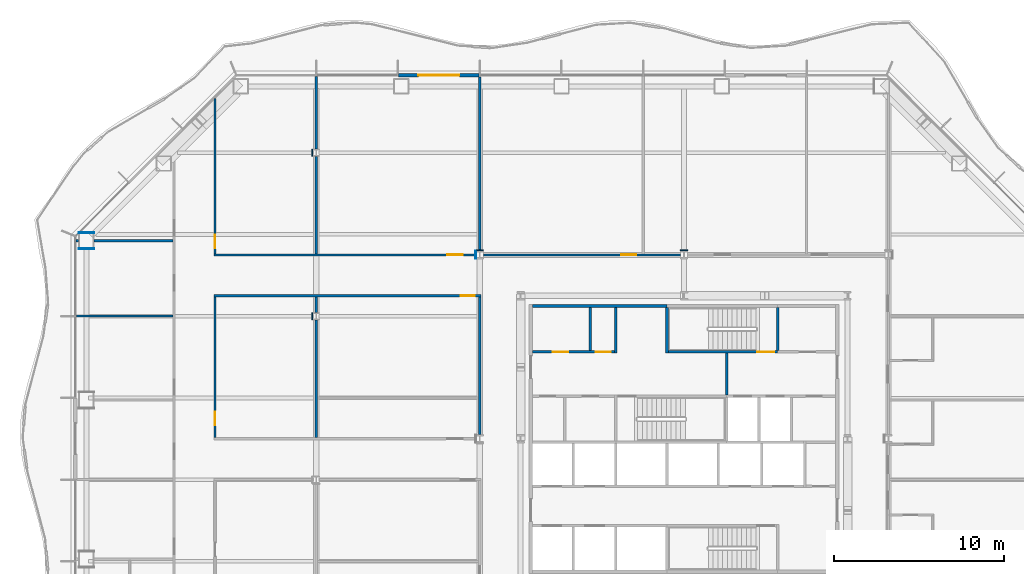
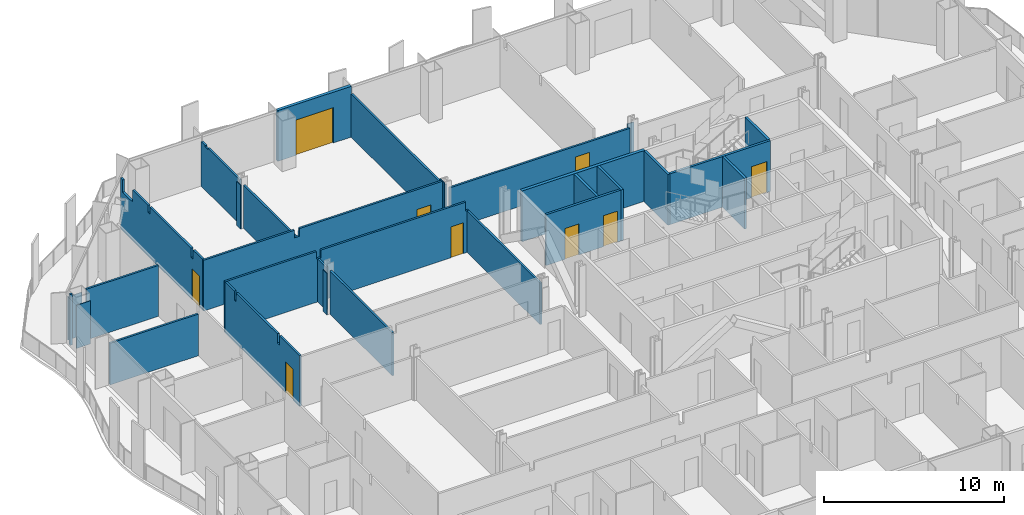
# One storey, part 12 of 20: 30 walls, 9 doors, 9 openings.
"""IFC4 building model written with IfcOpenShell, lengths in metres."""

from ifc_helpers import new_model, si_unit, direction, frame, frame_2d, origin, place, context, subcontext, project, spatial, polyline, rectangle, outline, extrude, material, layer, layer_set, type_object, element, fill, save


model = new_model("IFC4")

# Units and contexts
model_context = context("Model", 3, precision=1e-05, world=origin(), true_north=direction((0.0, 1.0)))
body_context = subcontext(model_context, "Body", "Model", "MODEL_VIEW")
ifc_project = project(units=[si_unit("LENGTHUNIT", "METRE"), si_unit("AREAUNIT", "SQUARE_METRE"), si_unit("VOLUMEUNIT", "CUBIC_METRE"), si_unit("PLANEANGLEUNIT", "RADIAN"), si_unit("MASSUNIT", "GRAM", prefix="KILO")], contexts=[model_context])

# Site, building, storey
site_placement = place(None, origin())
site = spatial("IfcSite", under=ifc_project, at=site_placement, CompositionType="ELEMENT")
building_placement = place(site_placement, origin())
building = spatial("IfcBuilding", under=site, at=building_placement, Name="Cairn Pilgrim Tower", CompositionType="ELEMENT")
storey_placement = place(building_placement, frame((0.0, 0.0, 83.39990234375)))
storey = spatial("IfcBuildingStorey", under=building, at=storey_placement, Name="L19", CompositionType="ELEMENT", Elevation=83.39990234375)

# Wall, opening, door
ifc_material_1 = material(Name="Bronze anodised aluminium insulated sandwich panel with mineral wool fill", Category="aluminium")
ifc_layer_1 = layer(ifc_material_1, 0.199951171875)
ifc_layer_set_1 = layer_set([ifc_layer_1], Name="BRONZE INFILL FRAME WALL 200")
wall_type_1 = type_object("IfcWallType", Name="BRONZE INFILL FRAME WALL 200", PredefinedType="NOTDEFINED", material=ifc_layer_set_1)
wall_1_placement = place(storey_placement, frame((-4.830078125, 23.75, 0.0), z_axis=(0.0, 0.0, 1.0), x_axis=(-1.0, 0.0, 0.0)))
wall_1 = element("IfcWall", 1, at=wall_1_placement, inside=storey, type_object=wall_type_1, Name="Bronze infill frame wall IW-N6", PredefinedType="NOTDEFINED", context=body_context, shape_type="SweptSolid", body=[
    extrude(rectangle(XDim=4.739990234375, YDim=0.199951171875, at=frame_2d((2.3701171875, 0.0))), origin(), (0.0, 0.0, 1.0), 3.4501953125),
])
opening_1_placement = place(wall_1_placement, frame((1.169921875, 0.0, 0.0)))
opening_1 = element("IfcOpeningElement", 2, at=opening_1_placement, cuts=wall_1, Name="Opening 1916B", PredefinedType="OPENING", context=body_context, shape_type="SweptSolid", body=[
    extrude(rectangle(XDim=2.39990234375, YDim=2.39990234375, at=frame_2d((1.199951171875, 1.199951171875))), frame((0.0, 0.10986328125, 0.0), z_axis=(0.0, -1.0, 0.0), x_axis=(1.0, 0.0, 0.0)), (0.0, 0.0, 1.0), 0.219970703125),
])
ifc_material_2 = material(Name="Bronze anodised aluminium frame with tinted low-E glass", Category="aluminium")
door_type_1 = type_object("IfcDoorType", Name="BALCONY SLIDING DOOR 2400x2400", OperationType="DOUBLE_DOOR_SLIDING", PredefinedType="DOOR", material=ifc_material_2)
door_1_placement = place(opening_1_placement, origin())
door_1 = element("IfcDoor", 3, at=door_1_placement, inside=storey, type_object=door_type_1, Name="Balcony sliding door 1916B", OperationType="SINGLE_SWING_LEFT", OverallHeight=2.39990234375, OverallWidth=2.39990234375, PredefinedType="DOOR", context=body_context, shape_type="SweptSolid", body=[
    extrude(rectangle(XDim=2.39990234375, YDim=2.39990234375, at=frame_2d((1.199951171875, 1.199951171875))), frame((0.0, 0.02490234375, 0.0), z_axis=(0.0, -1.0, 0.0), x_axis=(1.0, 0.0, 0.0)), (0.0, 0.0, 1.0), 0.050048828125),
])
fill(opening_1, door_1)

# Wall
ifc_material_3 = material(Name="Concrete C32/40", Category="concrete")
ifc_layer_2 = layer(ifc_material_3, 0.199951171875)
ifc_layer_set_2 = layer_set([ifc_layer_2], Name="CORE OUTER WALL 200 EI 120")
wall_type_2 = type_object("IfcWallType", Name="CORE OUTER WALL 200 EI 120", PredefinedType="SOLIDWALL", material=ifc_layer_set_2)
wall_2_placement = place(storey_placement, frame((-1.699951171875, 10.199951171875, 0.0), z_axis=(0.0, 0.0, 1.0), x_axis=(1.0, 0.0, 0.0)))
element("IfcWall", 4, at=wall_2_placement, inside=storey, type_object=wall_type_2, Name="CW:L19:H11-1", PredefinedType="SOLIDWALL", context=body_context, shape_type="SweptSolid", body=[
    extrude(rectangle(XDim=7.89990234375, YDim=0.199951171875, at=frame_2d((3.949951171875, 0.0))), origin(), (0.0, 0.0, 1.0), 3.4501953125),
])

# Wall, openings, doors
ifc_layer_3 = layer(ifc_material_3, 0.14990234375)
ifc_layer_set_3 = layer_set([ifc_layer_3], Name="CORE PARTITION 150 EI 60")
wall_type_3 = type_object("IfcWallType", Name="CORE PARTITION 150 EI 60", PredefinedType="PARTITIONING", material=ifc_layer_set_3)
wall_3_placement = place(storey_placement, frame((-1.699951171875, 7.5, 0.0), z_axis=(0.0, 0.0, 1.0), x_axis=(1.0, 0.0, 0.0)))
wall_3 = element("IfcWall", 5, at=wall_3_placement, inside=storey, type_object=wall_type_3, Name="CW:L19:H09", PredefinedType="PARTITIONING", context=body_context, shape_type="SweptSolid", body=[
    extrude(rectangle(XDim=4.824951171875, YDim=0.14990234375, at=frame_2d((2.41259765625, 0.0))), origin(), (0.0, 0.0, 1.0), 3.4501953125),
])
opening_2_placement = place(wall_3_placement, frame((1.199951171875, 0.0, 0.0)))
opening_2 = element("IfcOpeningElement", 6, at=opening_2_placement, cuts=wall_3, Name="Opening RD-R4W1", PredefinedType="OPENING", context=body_context, shape_type="SweptSolid", body=[
    extrude(rectangle(XDim=0.89990234375, YDim=2.10009765625, at=frame_2d((0.449951171875, 1.050048828125))), frame((0.0, 0.0849609375, 0.0), z_axis=(0.0, -1.0, 0.0), x_axis=(1.0, 0.0, 0.0)), (0.0, 0.0, 1.0), 0.169921875),
])
opening_3_placement = place(wall_3_placement, frame((3.699951171875, 0.0, 0.0)))
opening_3 = element("IfcOpeningElement", 7, at=opening_3_placement, cuts=wall_3, Name="Opening RD-R4W2", PredefinedType="OPENING", context=body_context, shape_type="SweptSolid", body=[
    extrude(rectangle(XDim=0.89990234375, YDim=2.10009765625, at=frame_2d((0.449951171875, 1.050048828125))), frame((0.0, 0.0849609375, 0.0), z_axis=(0.0, -1.0, 0.0), x_axis=(1.0, 0.0, 0.0)), (0.0, 0.0, 1.0), 0.169921875),
])
ifc_material_4 = material(Name="Painted steel", Category="steel")
door_type_2 = type_object("IfcDoorType", Name="SERVICE ROOM DOOR 900x2100", OperationType="SINGLE_SWING_LEFT", PredefinedType="DOOR", material=ifc_material_4)
door_2_placement = place(opening_2_placement, origin())
door_2 = element("IfcDoor", 8, at=door_2_placement, inside=storey, type_object=door_type_2, Name="RD-R4W1", OperationType="SINGLE_SWING_LEFT", OverallHeight=2.10009765625, OverallWidth=0.89990234375, PredefinedType="DOOR", context=body_context, shape_type="SweptSolid", body=[
    extrude(rectangle(XDim=0.89990234375, YDim=2.10009765625, at=frame_2d((0.449951171875, 1.050048828125))), frame((0.0, 0.02490234375, 0.0), z_axis=(0.0, -1.0, 0.0), x_axis=(1.0, 0.0, 0.0)), (0.0, 0.0, 1.0), 0.050048828125),
])
fill(opening_2, door_2)
door_3_placement = place(opening_3_placement, origin())
door_3 = element("IfcDoor", 9, at=door_3_placement, inside=storey, type_object=door_type_2, Name="RD-R4W2", OperationType="SINGLE_SWING_RIGHT", OverallHeight=2.10009765625, OverallWidth=0.89990234375, PredefinedType="DOOR", context=body_context, shape_type="SweptSolid", body=[
    extrude(rectangle(XDim=0.89990234375, YDim=2.10009765625, at=frame_2d((0.449951171875, 1.050048828125))), frame((0.0, 0.02490234375, 0.0), z_axis=(0.0, -1.0, 0.0), x_axis=(1.0, 0.0, 0.0)), (0.0, 0.0, 1.0), 0.050048828125),
])
fill(opening_3, door_3)

# Walls
wall_4_placement = place(storey_placement, frame((1.699951171875, 7.574951171875, 0.0), z_axis=(0.0, 0.0, 1.0), x_axis=(0.0, 1.0, 0.0)))
element("IfcWall", 10, at=wall_4_placement, inside=storey, type_object=wall_type_3, Name="CW:L19:V16", PredefinedType="PARTITIONING", context=body_context, shape_type="SweptSolid", body=[
    extrude(rectangle(XDim=2.525146484375, YDim=0.14990234375, at=frame_2d((1.2626953125, 0.0))), origin(), (0.0, 0.0, 1.0), 3.4501953125),
])
wall_5_placement = place(storey_placement, frame((3.199951171875, 7.425048828125, 0.0), z_axis=(0.0, 0.0, 1.0), x_axis=(0.0, 1.0, 0.0)))
element("IfcWall", 11, at=wall_5_placement, inside=storey, type_object=wall_type_3, Name="CW:L19:V20", PredefinedType="PARTITIONING", context=body_context, shape_type="SweptSolid", body=[
    extrude(rectangle(XDim=2.675048828125, YDim=0.14990234375, at=frame_2d((1.33740234375, 0.0))), origin(), (0.0, 0.0, 1.0), 3.4501953125),
])
ifc_layer_4 = layer(ifc_material_3, 0.14990234375)
ifc_layer_set_4 = layer_set([ifc_layer_4], Name="CORE SHAFT WALL 150 EI 120")
wall_type_4 = type_object("IfcWallType", Name="CORE SHAFT WALL 150 EI 120", PredefinedType="SOLIDWALL", material=ifc_layer_set_4)
wall_6_placement = place(storey_placement, frame((9.699951171875, 4.97509765625, 0.0), z_axis=(0.0, 0.0, 1.0), x_axis=(0.0, 1.0, 0.0)))
element("IfcWall", 12, at=wall_6_placement, inside=storey, type_object=wall_type_4, Name="CW:L19:V26", PredefinedType="SOLIDWALL", context=body_context, shape_type="SweptSolid", body=[
    extrude(rectangle(XDim=2.449951171875, YDim=0.14990234375, at=frame_2d((1.22509765625, 0.0))), origin(), (0.0, 0.0, 1.0), 3.4501953125),
])

# Wall, opening, door
ifc_material_5 = material(Name="Gypsum partition")
ifc_layer_5 = layer(ifc_material_5, 0.125)
ifc_layer_set_5 = layer_set([ifc_layer_5], Name="PARTITION 125 DRYWALL EI 60")
wall_type_5 = type_object("IfcWallType", Name="PARTITION 125 DRYWALL EI 60", PredefinedType="PARTITIONING", material=ifc_layer_set_5)
wall_7_placement = place(storey_placement, frame((-20.35009765625, 2.46240234375, 0.0), z_axis=(0.0, 0.0, 1.0), x_axis=(0.0, 1.0, 0.0)))
wall_7 = element("IfcWall", 13, at=wall_7_placement, inside=storey, type_object=wall_type_5, Name="PARTITION W062", PredefinedType="PARTITIONING", context=body_context, shape_type="SweptSolid", body=[
    extrude(outline(polyline([(0.0, 0.0), (8.275146484375, 0.0), (8.27490234375, 3.4501953125), (7.24755859375, 3.4501953125), (7.24560546875, 2.830078125), (7.027587890625, 2.830078125), (7.025390625, 3.4501953125), (2.447509765625, 3.4501953125), (2.445556640625, 2.830078125), (2.2275390625, 2.830078125), (2.2255859375, 3.4501953125), (0.0, 3.4501953125), (0.0, 0.0)])), frame((0.0, 0.0625, 0.0), z_axis=(0.0, -1.0, 0.0), x_axis=(1.0, 0.0, 0.0)), (0.0, 0.0, 1.0), 0.125),
])
opening_4_placement = place(wall_7_placement, frame((0.737548828125, 0.0, 0.0)))
opening_4 = element("IfcOpeningElement", 14, at=opening_4_placement, cuts=wall_7, Name="Opening 1932", PredefinedType="OPENING", context=body_context, shape_type="SweptSolid", body=[
    extrude(rectangle(XDim=0.800048828125, YDim=2.10009765625, at=frame_2d((0.39990234375, 1.050048828125))), frame((0.0, 0.072509765625, 0.0), z_axis=(0.0, -1.0, 0.0), x_axis=(1.0, 0.0, 0.0)), (0.0, 0.0, 1.0), 0.14501953125),
])
ifc_material_6 = material(Name="Steel-faced fire door leaf", Category="steel")
door_type_3 = type_object("IfcDoorType", Name="FIRE DOOR 800x2100 FD30S", OperationType="NOTDEFINED", PredefinedType="DOOR", material=ifc_material_6)
door_4_placement = place(opening_4_placement, frame((0.800048828125, 0.0, 0.0), z_axis=(0.0, 0.0, 1.0), x_axis=(-1.0, 0.0, 0.0)))
door_4 = element("IfcDoor", 15, at=door_4_placement, inside=storey, type_object=door_type_3, Name="DOOR 1932", OperationType="SINGLE_SWING_LEFT", OverallHeight=2.10009765625, OverallWidth=0.800048828125, PredefinedType="DOOR", context=body_context, shape_type="SweptSolid", body=[
    extrude(rectangle(XDim=0.800048828125, YDim=2.10009765625, at=frame_2d((0.39990234375, 1.050048828125))), frame((0.0, 0.02490234375, 0.0), z_axis=(0.0, -1.0, 0.0), x_axis=(1.0, 0.0, 0.0)), (0.0, 0.0, 1.0), 0.050048828125),
])
fill(opening_4, door_4)

# Walls
wall_8_placement = place(storey_placement, frame((-14.39990234375, 2.46240234375, 0.0), z_axis=(0.0, 0.0, 1.0), x_axis=(0.0, 1.0, 0.0)))
element("IfcWall", 16, at=wall_8_placement, inside=storey, type_object=wall_type_5, Name="PARTITION W063", PredefinedType="PARTITIONING", context=body_context, shape_type="SweptSolid", body=[
    extrude(rectangle(XDim=6.925048828125, YDim=0.125, at=frame_2d((3.46240234375, 0.0))), origin(), (0.0, 0.0, 1.0), 2.93017578125),
])
wall_9_placement = place(storey_placement, frame((-4.800048828125, 2.636962890625, 0.0), z_axis=(0.0, 0.0, 1.0), x_axis=(0.0, 1.0, 0.0)))
element("IfcWall", 17, at=wall_9_placement, inside=storey, type_object=wall_type_5, Name="PARTITION W064", PredefinedType="PARTITIONING", context=body_context, shape_type="SweptSolid", body=[
    extrude(rectangle(XDim=8.1005859375, YDim=0.125, at=frame_2d((4.05029296875, 0.0))), origin(), (0.0, 0.0, 1.0), 2.830078125),
])
wall_10_placement = place(storey_placement, frame((-28.489990234375, 9.60009765625, 0.0), z_axis=(0.0, 0.0, 1.0), x_axis=(1.0, 0.0, 0.0)))
element("IfcWall", 18, at=wall_10_placement, inside=storey, type_object=wall_type_5, Name="PARTITION W072", PredefinedType="PARTITIONING", context=body_context, shape_type="SweptSolid", body=[
    extrude(rectangle(XDim=5.677490234375, YDim=0.125, at=frame_2d((2.8388671875, 0.0))), origin(), (0.0, 0.0, 1.0), 2.830078125),
])
wall_11_placement = place(storey_placement, frame((-14.39990234375, 9.8125, 0.0), z_axis=(0.0, 0.0, 1.0), x_axis=(0.0, 1.0, 0.0)))
element("IfcWall", 19, at=wall_11_placement, inside=storey, type_object=wall_type_5, Name="PARTITION W074", PredefinedType="PARTITIONING", context=body_context, shape_type="SweptSolid", body=[
    extrude(rectangle(XDim=0.925048828125, YDim=0.125, at=frame_2d((0.46240234375, 0.0))), origin(), (0.0, 0.0, 1.0), 2.93017578125),
])

# Wall, opening, door
wall_12_placement = place(storey_placement, frame((-20.41259765625, 10.800048828125, 0.0), z_axis=(0.0, 0.0, 1.0), x_axis=(1.0, 0.0, 0.0)))
wall_12 = element("IfcWall", 20, at=wall_12_placement, inside=storey, type_object=wall_type_5, Name="PARTITION W075", PredefinedType="PARTITIONING", context=body_context, shape_type="SweptSolid", body=[
    extrude(outline(polyline([(0.0, 0.0), (15.675048828125, 0.0), (15.675048828125, 2.830078125), (15.46240234375, 2.830078125), (15.46044921875, 3.4501953125), (6.16259765625, 3.4501953125), (6.160400390625, 2.93017578125), (5.862548828125, 2.93017578125), (5.860595703125, 3.4501953125), (0.0, 3.4501953125), (0.0, 0.0)])), frame((0.0, 0.0625, 0.0), z_axis=(0.0, -1.0, 0.0), x_axis=(1.0, 0.0, 0.0)), (0.0, 0.0, 1.0), 0.125),
])
opening_5_placement = place(wall_12_placement, frame((14.512451171875, 0.0, 0.0)))
opening_5 = element("IfcOpeningElement", 21, at=opening_5_placement, cuts=wall_12, Name="Opening 1930", PredefinedType="OPENING", context=body_context, shape_type="SweptSolid", body=[
    extrude(rectangle(XDim=0.800048828125, YDim=2.10009765625, at=frame_2d((0.39990234375, 1.050048828125))), frame((0.0, 0.072509765625, 0.0), z_axis=(0.0, -1.0, 0.0), x_axis=(1.0, 0.0, 0.0)), (0.0, 0.0, 1.0), 0.14501953125),
])
door_5_placement = place(opening_5_placement, frame((0.800048828125, 0.0, 0.0), z_axis=(0.0, 0.0, 1.0), x_axis=(-1.0, 0.0, 0.0)))
door_5 = element("IfcDoor", 22, at=door_5_placement, inside=storey, type_object=door_type_3, Name="DOOR 1930", OperationType="SINGLE_SWING_LEFT", OverallHeight=2.10009765625, OverallWidth=0.800048828125, PredefinedType="DOOR", context=body_context, shape_type="SweptSolid", body=[
    extrude(rectangle(XDim=0.800048828125, YDim=2.10009765625, at=frame_2d((0.39990234375, 1.050048828125))), frame((0.0, 0.02490234375, 0.0), z_axis=(0.0, -1.0, 0.0), x_axis=(1.0, 0.0, 0.0)), (0.0, 0.0, 1.0), 0.050048828125),
])
fill(opening_5, door_5)

wall_13_placement = place(storey_placement, frame((-20.41259765625, 13.199951171875, 0.0), z_axis=(0.0, 0.0, 1.0), x_axis=(1.0, 0.0, 0.0)))
wall_13 = element("IfcWall", 23, at=wall_13_placement, inside=storey, type_object=wall_type_5, Name="PARTITION W076", PredefinedType="PARTITIONING", context=body_context, shape_type="SweptSolid", body=[
    extrude(outline(polyline([(0.0, 0.0), (15.400634765625, 0.0), (15.400390625, 3.4501953125), (6.16259765625, 3.4501953125), (6.160400390625, 2.93017578125), (5.862548828125, 2.93017578125), (5.860595703125, 3.4501953125), (0.0, 3.4501953125), (0.0, 0.0)])), frame((0.0, 0.0625, 0.0), z_axis=(0.0, -1.0, 0.0), x_axis=(1.0, 0.0, 0.0)), (0.0, 0.0, 1.0), 0.125),
])
opening_6_placement = place(wall_13_placement, frame((13.71240234375, 0.0, 0.0)))
opening_6 = element("IfcOpeningElement", 24, at=opening_6_placement, cuts=wall_13, Name="Opening 1916", PredefinedType="OPENING", context=body_context, shape_type="SweptSolid", body=[
    extrude(rectangle(XDim=0.89990234375, YDim=2.10009765625, at=frame_2d((0.449951171875, 1.050048828125))), frame((0.0, 0.072509765625, 0.0), z_axis=(0.0, -1.0, 0.0), x_axis=(1.0, 0.0, 0.0)), (0.0, 0.0, 1.0), 0.14501953125),
])
door_type_4 = type_object("IfcDoorType", Name="FIRE DOOR 900x2100 FD30S", OperationType="NOTDEFINED", PredefinedType="DOOR", material=ifc_material_6)
door_6_placement = place(opening_6_placement, origin())
door_6 = element("IfcDoor", 25, at=door_6_placement, inside=storey, type_object=door_type_4, Name="DOOR 1916", OperationType="SINGLE_SWING_LEFT", OverallHeight=2.10009765625, OverallWidth=0.89990234375, PredefinedType="DOOR", context=body_context, shape_type="SweptSolid", body=[
    extrude(rectangle(XDim=0.89990234375, YDim=2.10009765625, at=frame_2d((0.449951171875, 1.050048828125))), frame((0.0, 0.02490234375, 0.0), z_axis=(0.0, -1.0, 0.0), x_axis=(1.0, 0.0, 0.0)), (0.0, 0.0, 1.0), 0.050048828125),
])
fill(opening_6, door_6)

wall_14_placement = place(storey_placement, frame((-4.587890625, 13.199951171875, 0.0), z_axis=(0.0, 0.0, 1.0), x_axis=(1.0, 0.0, 0.0)))
wall_14 = element("IfcWall", 26, at=wall_14_placement, inside=storey, type_object=wall_type_5, Name="PARTITION W077", PredefinedType="PARTITIONING", context=body_context, shape_type="SweptSolid", body=[
    extrude(rectangle(XDim=11.575927734375, YDim=0.125, at=frame_2d((5.7880859375, 0.0))), origin(), (0.0, 0.0, 1.0), 2.830078125),
])
opening_7_placement = place(wall_14_placement, frame((8.087890625, 0.0, 0.0)))
opening_7 = element("IfcOpeningElement", 27, at=opening_7_placement, cuts=wall_14, Name="Opening 1917", PredefinedType="OPENING", context=body_context, shape_type="SweptSolid", body=[
    extrude(rectangle(XDim=0.89990234375, YDim=2.10009765625, at=frame_2d((0.449951171875, 1.050048828125))), frame((0.0, 0.072509765625, 0.0), z_axis=(0.0, -1.0, 0.0), x_axis=(1.0, 0.0, 0.0)), (0.0, 0.0, 1.0), 0.14501953125),
])
door_7_placement = place(opening_7_placement, origin())
door_7 = element("IfcDoor", 28, at=door_7_placement, inside=storey, type_object=door_type_4, Name="DOOR 1917", OperationType="SINGLE_SWING_RIGHT", OverallHeight=2.10009765625, OverallWidth=0.89990234375, PredefinedType="DOOR", context=body_context, shape_type="SweptSolid", body=[
    extrude(rectangle(XDim=0.89990234375, YDim=2.10009765625, at=frame_2d((0.449951171875, 1.050048828125))), frame((0.0, 0.02490234375, 0.0), z_axis=(0.0, -1.0, 0.0), x_axis=(1.0, 0.0, 0.0)), (0.0, 0.0, 1.0), 0.050048828125),
])
fill(opening_7, door_7)

wall_15_placement = place(storey_placement, frame((-20.35009765625, 13.262451171875, 0.0), z_axis=(0.0, 0.0, 1.0), x_axis=(0.0, 1.0, 0.0)))
wall_15 = element("IfcWall", 29, at=wall_15_placement, inside=storey, type_object=wall_type_5, Name="PARTITION W079", PredefinedType="PARTITIONING", context=body_context, shape_type="SweptSolid", body=[
    extrude(outline(polyline([(0.0, 0.0), (9.126220703125, 0.0), (9.126220703125, 3.4501953125), (8.872314453125, 3.4501953125), (8.8701171875, 2.630126953125), (7.757080078125, 2.630126953125), (7.755126953125, 3.4501953125), (6.032470703125, 3.4501953125), (6.030517578125, 2.97998046875), (5.842529296875, 2.97998046875), (5.840576171875, 3.4501953125), (1.24755859375, 3.4501953125), (1.24560546875, 2.830078125), (1.027587890625, 2.830078125), (1.025390625, 3.4501953125), (0.0, 3.4501953125), (0.0, 0.0)])), frame((0.0, 0.0625, 0.0), z_axis=(0.0, -1.0, 0.0), x_axis=(1.0, 0.0, 0.0)), (0.0, 0.0, 1.0), 0.125),
])
opening_8_placement = place(wall_15_placement, frame((0.33349609375, 0.0, 0.0)))
opening_8 = element("IfcOpeningElement", 30, at=opening_8_placement, cuts=wall_15, Name="Opening 1915", PredefinedType="OPENING", context=body_context, shape_type="SweptSolid", body=[
    extrude(rectangle(XDim=0.800048828125, YDim=2.10009765625, at=frame_2d((0.39990234375, 1.050048828125))), frame((0.0, 0.072509765625, 0.0), z_axis=(0.0, -1.0, 0.0), x_axis=(1.0, 0.0, 0.0)), (0.0, 0.0, 1.0), 0.14501953125),
])
door_8_placement = place(opening_8_placement, frame((0.800048828125, 0.0, 0.0), z_axis=(0.0, 0.0, 1.0), x_axis=(-1.0, 0.0, 0.0)))
door_8 = element("IfcDoor", 31, at=door_8_placement, inside=storey, type_object=door_type_3, Name="DOOR 1915", OperationType="SINGLE_SWING_RIGHT", OverallHeight=2.10009765625, OverallWidth=0.800048828125, PredefinedType="DOOR", context=body_context, shape_type="SweptSolid", body=[
    extrude(rectangle(XDim=0.800048828125, YDim=2.10009765625, at=frame_2d((0.39990234375, 1.050048828125))), frame((0.0, 0.02490234375, 0.0), z_axis=(0.0, -1.0, 0.0), x_axis=(1.0, 0.0, 0.0)), (0.0, 0.0, 1.0), 0.050048828125),
])
fill(opening_8, door_8)

# Walls
wall_16_placement = place(storey_placement, frame((-14.39990234375, 13.262451171875, 0.0), z_axis=(0.0, 0.0, 1.0), x_axis=(0.0, 1.0, 0.0)))
element("IfcWall", 32, at=wall_16_placement, inside=storey, type_object=wall_type_5, Name="PARTITION W080", PredefinedType="PARTITIONING", context=body_context, shape_type="SweptSolid", body=[
    extrude(rectangle(XDim=5.72509765625, YDim=0.125, at=frame_2d((2.862548828125, 0.0))), origin(), (0.0, 0.0, 1.0), 2.93017578125),
])
wall_17_placement = place(storey_placement, frame((-4.800048828125, 13.43701171875, 0.0), z_axis=(0.0, 0.0, 1.0), x_axis=(0.0, 1.0, 0.0)))
element("IfcWall", 33, at=wall_17_placement, inside=storey, type_object=wall_type_5, Name="PARTITION W083", PredefinedType="PARTITIONING", context=body_context, shape_type="SweptSolid", body=[
    extrude(rectangle(XDim=10.212890625, YDim=0.125, at=frame_2d((5.1064453125, 0.0))), origin(), (0.0, 0.0, 1.0), 2.93017578125),
])
wall_18_placement = place(storey_placement, frame((-28.5029296875, 14.027099609375, 0.0), z_axis=(0.0, 0.0, 1.0), x_axis=(1.0, 0.0, 0.0)))
element("IfcWall", 34, at=wall_18_placement, inside=storey, type_object=wall_type_5, Name="PARTITION W085", PredefinedType="PARTITIONING", context=body_context, shape_type="SweptSolid", body=[
    extrude(rectangle(XDim=0.15283203125, YDim=0.125, at=frame_2d((0.076416015625, 0.0))), origin(), (0.0, 0.0, 1.0), 3.4501953125),
])
wall_19_placement = place(storey_placement, frame((-27.449951171875, 14.027099609375, 0.0), z_axis=(0.0, 0.0, 1.0), x_axis=(1.0, 0.0, 0.0)))
element("IfcWall", 35, at=wall_19_placement, inside=storey, type_object=wall_type_5, Name="PARTITION W086", PredefinedType="PARTITIONING", context=body_context, shape_type="SweptSolid", body=[
    extrude(rectangle(XDim=4.637451171875, YDim=0.125, at=frame_2d((2.31884765625, 0.0))), origin(), (0.0, 0.0, 1.0), 3.4501953125),
])
wall_20_placement = place(storey_placement, frame((-14.39990234375, 19.41259765625, 0.0), z_axis=(0.0, 0.0, 1.0), x_axis=(0.0, 1.0, 0.0)))
element("IfcWall", 36, at=wall_20_placement, inside=storey, type_object=wall_type_5, Name="PARTITION W087", PredefinedType="PARTITIONING", context=body_context, shape_type="SweptSolid", body=[
    extrude(outline(polyline([(0.0, 0.0), (4.27734375, 0.0), (4.277587890625, 3.030029296875), (3.83740234375, 3.030029296875), (3.83544921875, 2.93017578125), (3.53759765625, 2.93017578125), (3.535400390625, 3.030029296875), (0.0, 3.030029296875), (0.0, 0.0)])), frame((0.0, 0.0625, 0.0), z_axis=(0.0, -1.0, 0.0), x_axis=(1.0, 0.0, 0.0)), (0.0, 0.0, 1.0), 0.125),
])
ifc_layer_6 = layer(ifc_material_5, 0.050048828125)
ifc_layer_set_6 = layer_set([ifc_layer_6], Name="PARTITION 50 DRYWALL EI 60")
wall_type_6 = type_object("IfcWallType", Name="PARTITION 50 DRYWALL EI 60", PredefinedType="PARTITIONING", material=ifc_layer_set_6)
wall_21_placement = place(storey_placement, frame((-14.62939453125, 9.387451171875, 0.0), z_axis=(0.0, 0.0, 1.0), x_axis=(0.0, 1.0, 0.0)))
element("IfcWall", 37, at=wall_21_placement, inside=storey, type_object=wall_type_6, Name="COLUMN CASING WC24", PredefinedType="PARTITIONING", context=body_context, shape_type="SweptSolid", body=[
    extrude(rectangle(XDim=0.425048828125, YDim=0.050048828125, at=frame_2d((0.21240234375, 0.0))), origin(), (0.0, 0.0, 1.0), 2.830078125),
])
for number, where, z_axis, x_axis, name in (
    (38, (-5.011962890625, 13.4619140625, 0.0), (0.0, 0.0, 1.0), (1.0, 0.0, 0.0), "COLUMN CASING WC30"),
    (39, (6.988037109375, 13.4619140625, 0.0), (0.0, 0.0, 1.0), (1.0, 0.0, 0.0), "COLUMN CASING WC31"),
):
    element("IfcWall", number, at=place(storey_placement, frame(where, z_axis=z_axis, x_axis=x_axis)), inside=storey, type_object=wall_type_6, Name=name, PredefinedType="PARTITIONING", context=body_context, shape_type="SweptSolid", body=[
        extrude(rectangle(XDim=0.424072265625, YDim=0.050048828125, at=frame_2d((0.2119140625, 0.0))), origin(), (0.0, 0.0, 1.0), 2.93017578125),
    ])
wall_22_placement = place(storey_placement, frame((-14.62939453125, 18.987548828125, 0.0), z_axis=(0.0, 0.0, 1.0), x_axis=(0.0, 1.0, 0.0)))
element("IfcWall", 40, at=wall_22_placement, inside=storey, type_object=wall_type_6, Name="COLUMN CASING WC34", PredefinedType="PARTITIONING", context=body_context, shape_type="SweptSolid", body=[
    extrude(rectangle(XDim=0.425048828125, YDim=0.050048828125, at=frame_2d((0.21240234375, 0.0))), origin(), (0.0, 0.0, 1.0), 2.97998046875),
])
wall_23_placement = place(storey_placement, frame((-5.037109375, 12.962890625, 0.0), z_axis=(0.0, 0.0, 1.0), x_axis=(0.0, 1.0, 0.0)))
element("IfcWall", 41, at=wall_23_placement, inside=storey, type_object=wall_type_6, Name="COLUMN CASING WC35", PredefinedType="PARTITIONING", context=body_context, shape_type="SweptSolid", body=[
    extrude(rectangle(XDim=0.47412109375, YDim=0.050048828125, at=frame_2d((0.237060546875, 0.0))), origin(), (0.0, 0.0, 1.0), 3.4501953125),
])
for number, where, z_axis, x_axis, name in (
    (42, (-28.35009765625, 14.502197265625, 0.0), (0.0, 0.0, 1.0), (1.0, 0.0, 0.0), "COLUMN CASING WC36"),
    (43, (-28.35009765625, 13.55224609375, 0.0), (0.0, 0.0, 1.0), (1.0, 0.0, 0.0), "COLUMN CASING WC37"),
):
    element("IfcWall", number, at=place(storey_placement, frame(where, z_axis=z_axis, x_axis=x_axis)), inside=storey, type_object=wall_type_6, Name=name, PredefinedType="PARTITIONING", context=body_context, shape_type="SweptSolid", body=[
        extrude(rectangle(XDim=0.900146484375, YDim=0.050048828125, at=frame_2d((0.4501953125, 0.0))), origin(), (0.0, 0.0, 1.0), 2.93017578125),
    ])

# Wall, opening, door
ifc_material_7 = material(Name="Concrete C35/45", Category="concrete")
ifc_layer_7 = layer(ifc_material_7, 0.14990234375)
ifc_layer_set_7 = layer_set([ifc_layer_7], Name="STAIR SHAFT WALL 150 EI 120")
wall_type_7 = type_object("IfcWallType", Name="STAIR SHAFT WALL 150 EI 120", PredefinedType="SOLIDWALL", material=ifc_layer_set_7)
wall_24_placement = place(storey_placement, frame((6.27490234375, 7.5, 0.0), z_axis=(0.0, 0.0, 1.0), x_axis=(1.0, 0.0, 0.0)))
wall_24 = element("IfcWall", 44, at=wall_24_placement, inside=storey, type_object=wall_type_7, Name="CW:L19:H10-1", PredefinedType="SOLIDWALL", context=body_context, shape_type="SweptSolid", body=[
    extrude(rectangle(XDim=6.425048828125, YDim=0.14990234375, at=frame_2d((3.21240234375, 0.0))), origin(), (0.0, 0.0, 1.0), 3.4501953125),
])
opening_9_placement = place(wall_24_placement, frame((5.22509765625, 0.0, 0.0)))
opening_9 = element("IfcOpeningElement", 45, at=opening_9_placement, cuts=wall_24, Name="Opening SD-C", PredefinedType="OPENING", context=body_context, shape_type="SweptSolid", body=[
    extrude(rectangle(XDim=1.0, YDim=2.10009765625, at=frame_2d((0.5, 1.050048828125))), frame((0.0, 0.0849609375, 0.0), z_axis=(0.0, -1.0, 0.0), x_axis=(1.0, 0.0, 0.0)), (0.0, 0.0, 1.0), 0.169921875),
])
door_type_5 = type_object("IfcDoorType", Name="STAIR DOOR FD60S 1000x2100", OperationType="SINGLE_SWING_LEFT", PredefinedType="DOOR", material=ifc_material_4)
door_9_placement = place(opening_9_placement, origin())
door_9 = element("IfcDoor", 46, at=door_9_placement, inside=storey, type_object=door_type_5, Name="SD-C", OperationType="SINGLE_SWING_LEFT", OverallHeight=2.10009765625, OverallWidth=1.0, PredefinedType="DOOR", context=body_context, shape_type="SweptSolid", body=[
    extrude(rectangle(XDim=1.0, YDim=2.10009765625, at=frame_2d((0.5, 1.050048828125))), frame((0.0, 0.02490234375, 0.0), z_axis=(0.0, -1.0, 0.0), x_axis=(1.0, 0.0, 0.0)), (0.0, 0.0, 1.0), 0.050048828125),
])
fill(opening_9, door_9)

# Walls
wall_25_placement = place(storey_placement, frame((6.199951171875, 7.425048828125, 0.0), z_axis=(0.0, 0.0, 1.0), x_axis=(0.0, 1.0, 0.0)))
element("IfcWall", 47, at=wall_25_placement, inside=storey, type_object=wall_type_7, Name="CW:L19:V23", PredefinedType="SOLIDWALL", context=body_context, shape_type="SweptSolid", body=[
    extrude(rectangle(XDim=2.675048828125, YDim=0.14990234375, at=frame_2d((1.33740234375, 0.0))), origin(), (0.0, 0.0, 1.0), 3.4501953125),
])
wall_26_placement = place(storey_placement, frame((12.699951171875, 7.574951171875, 0.0), z_axis=(0.0, 0.0, 1.0), x_axis=(0.0, 1.0, 0.0)))
element("IfcWall", 48, at=wall_26_placement, inside=storey, type_object=wall_type_7, Name="CW:L19:V30", PredefinedType="SOLIDWALL", context=body_context, shape_type="SweptSolid", body=[
    extrude(rectangle(XDim=2.525146484375, YDim=0.14990234375, at=frame_2d((1.2626953125, 0.0))), origin(), (0.0, 0.0, 1.0), 3.4501953125),
])

save(model, "model.ifc")
